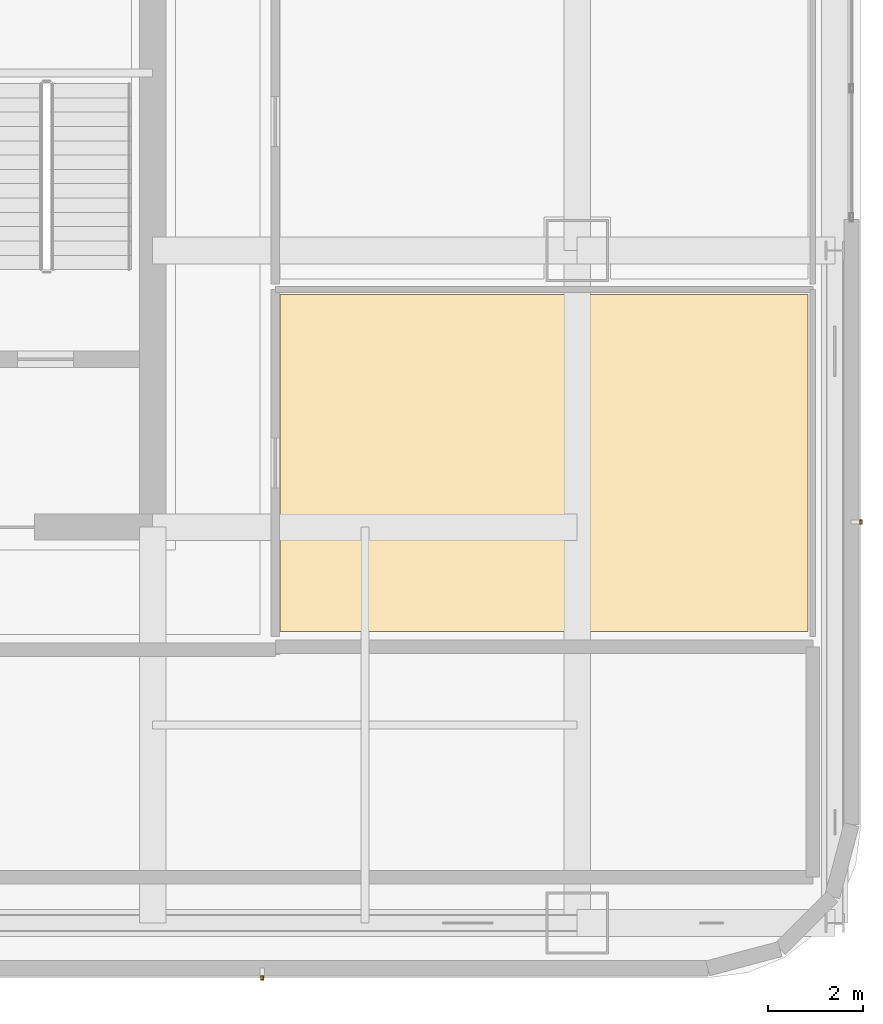
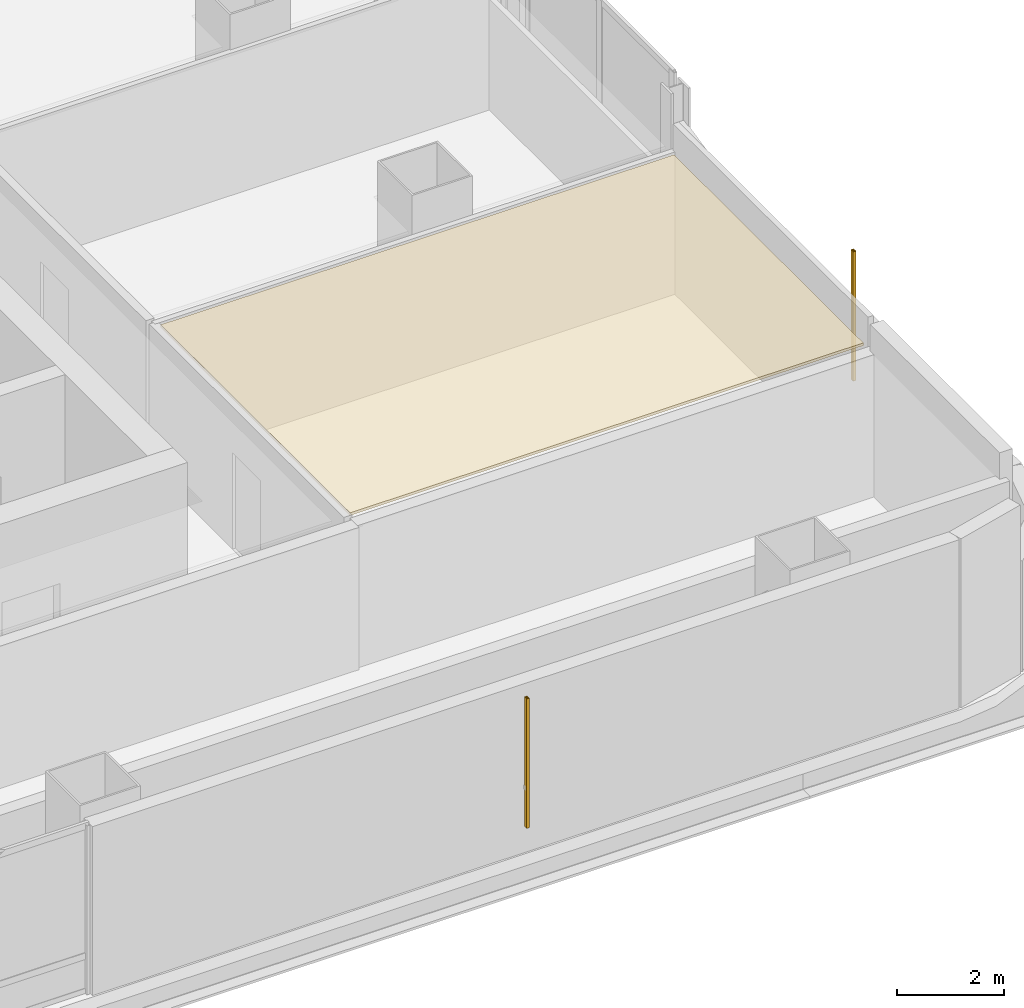
# One storey, part 26 of 30: 2 shading devices, 1 covering.
"""IFC4 building model written with IfcOpenShell, lengths in metres."""

from ifc_helpers import new_model, si_unit, direction, frame, origin, origin_2d, place, context, subcontext, project, spatial, polyline, hollow_rectangle, outline, extrude, material, layer, layer_set, material_profile, profile_set, type_object, element, save


model = new_model("IFC4")

# Units and contexts
model_context = context("Model", 3, precision=1e-05, world=origin(), true_north=direction((0.0, 1.0)))
body_context = subcontext(model_context, "Body", "Model", "MODEL_VIEW")
ifc_project = project(units=[si_unit("LENGTHUNIT", "METRE"), si_unit("AREAUNIT", "SQUARE_METRE"), si_unit("VOLUMEUNIT", "CUBIC_METRE"), si_unit("PLANEANGLEUNIT", "RADIAN"), si_unit("MASSUNIT", "GRAM", prefix="KILO")], contexts=[model_context])

# Site, building, storey
site_placement = place(None, origin())
site = spatial("IfcSite", under=ifc_project, at=site_placement, CompositionType="ELEMENT")
building_placement = place(site_placement, origin())
building = spatial("IfcBuilding", under=site, at=building_placement, Name="Punatoya Terracotta Tower", CompositionType="ELEMENT")
storey_placement = place(building_placement, frame((0.0, 0.0, 251.39990234375)))
storey = spatial("IfcBuildingStorey", under=building, at=storey_placement, Name="L59", CompositionType="ELEMENT", Elevation=251.39990234375)

# Covering
ifc_material_1 = material(Name="Acoustic Mineral Fibre Ceiling")
ifc_layer = layer(ifc_material_1, 0.06005859375)
ifc_layer_set = layer_set([ifc_layer], Name="Acoustic Mineral Fibre Ceiling")
covering_type = type_object("IfcCoveringType", Name="COV-CEIL-60", PredefinedType="CEILING", material=ifc_layer_set)
covering_placement = place(storey_placement, frame((0.0, 0.0, 3.16015625)))
element("IfcCovering", 1, at=covering_placement, inside=storey, type_object=covering_type, Name="L59 Visitor Reception Salon Acoustic Ceiling", PredefinedType="CEILING", context=body_context, shape_type="SweptSolid", body=[
    extrude(outline(polyline([(23.93994140625, -11.389892578125), (23.93994140625, -4.318115234375), (12.8701171875, -4.318115234375), (12.8701171875, -11.389892578125), (23.93994140625, -11.389892578125)])), origin(), (0.0, 0.0, 1.0), 0.06005859375),
])

# Shading devices
ifc_material_2 = material(Name="Architectural Fired Terracotta", Category="masonry")
ifc_material_profile = material_profile(ifc_material_2, hollow_rectangle(XDim=0.06005859375, YDim=0.090087890625, WallThickness=0.013916015625, at=origin_2d()))
ifc_profile_set = profile_set([ifc_material_profile], Name="Architectural Fired Terracotta")
shading_device_type = type_object("IfcShadingDeviceType", Name="SHD-JALI-90", PredefinedType="JALOUSIE", material=ifc_profile_set)
for number, where, z_axis, x_axis, name in (
    (2, (12.493408203125, -18.64990234375, 0.60009765625), (0.0, 0.0, 1.0), (1.0, 0.0, 0.0), "L59 Braced Bay Terracotta Jali Fin S2"),
    (3, (25.050048828125, -9.093505859375, 0.60009765625), (0.0, 0.0, 1.0), (1.0, 0.0, 0.0), "L59 Braced Bay Terracotta Jali Fin E1"),
):
    element("IfcShadingDevice", number, at=place(storey_placement, frame(where, z_axis=z_axis, x_axis=x_axis)), inside=storey, type_object=shading_device_type, Name=name, PredefinedType="JALOUSIE", context=body_context, shape_type="SweptSolid", body=[
        extrude(hollow_rectangle(XDim=0.06005859375, YDim=0.090087890625, WallThickness=0.013916015625, at=origin_2d()), origin(), (0.0, 0.0, 1.0), 2.949951171875),
    ])

save(model, "model.ifc")
